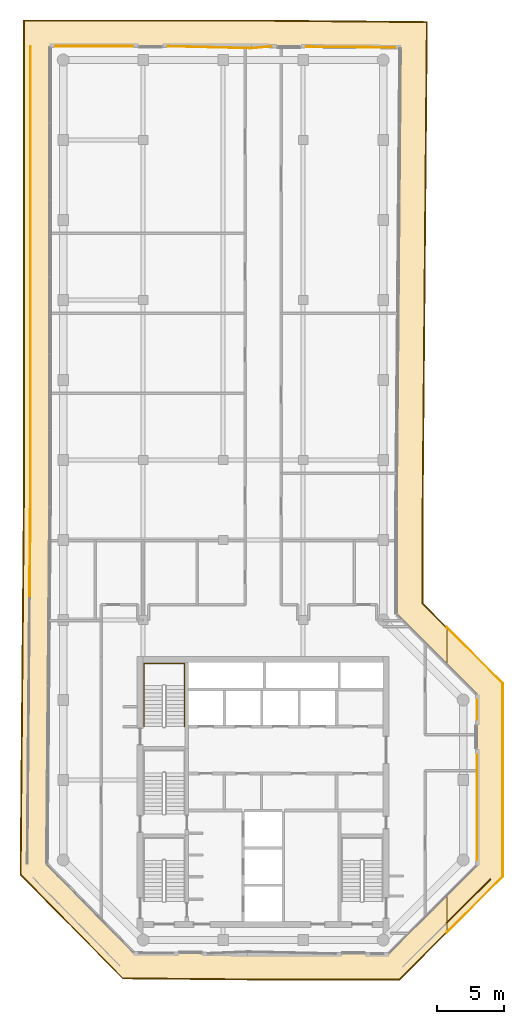
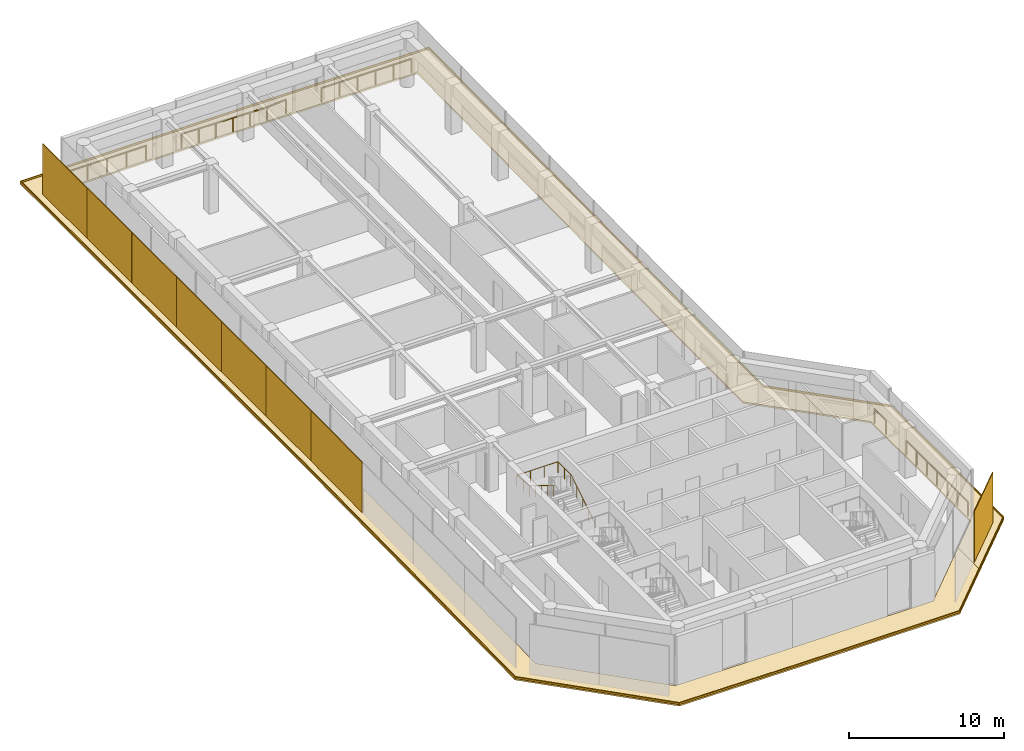
# One storey, part 19 of 19: 12 coverings, 6 railings.
"""IFC4 building model written with IfcOpenShell, lengths in metres."""

from ifc_helpers import new_model, si_unit, direction, frame, origin, origin_2d, place, context, subcontext, project, spatial, polyline, rectangle, circle, outline, extrude, material, layer, layer_set, type_object, element, save


model = new_model("IFC4")

# Units and contexts
model_context = context("Model", 3, precision=1e-05, world=origin(), true_north=direction((0.0, 1.0)))
body_context = subcontext(model_context, "Body", "Model", "MODEL_VIEW")
ifc_project = project(units=[si_unit("LENGTHUNIT", "METRE"), si_unit("AREAUNIT", "SQUARE_METRE"), si_unit("VOLUMEUNIT", "CUBIC_METRE"), si_unit("PLANEANGLEUNIT", "RADIAN"), si_unit("MASSUNIT", "GRAM", prefix="KILO")], contexts=[model_context])

# Site, building, storey
site_placement = place(None, origin())
site = spatial("IfcSite", under=ifc_project, at=site_placement, CompositionType="ELEMENT")
building_placement = place(site_placement, origin())
building = spatial("IfcBuilding", under=site, at=building_placement, Name="Welwitschia Terrace Campus", CompositionType="ELEMENT")
storey_placement = place(building_placement, frame((0.0, 0.0, 230.60009765625)))
storey = spatial("IfcBuildingStorey", under=building, at=storey_placement, Name="L51", CompositionType="ELEMENT", Elevation=230.60009765625)

# Coverings
ifc_material_1 = material(Name="Bronze mesh aluminium screen", Category="aluminium")
ifc_layer_1 = layer(ifc_material_1, 0.06005859375)
ifc_layer_set_1 = layer_set([ifc_layer_1], Name="Bronze mesh aluminium screen")
covering_type_1 = type_object("IfcCoveringType", Name="Bronze screen 60", PredefinedType="USERDEFINED", material=ifc_layer_set_1)
for number, where, z_axis, x_axis, name in (
    (1, (-2.4599609375, 68.148681640625, 0.0), (0.0, 0.0, 1.0), (0.0, -1.0, 0.0), "Screen L51.1.0"),
    (2, (-2.4599609375, 62.385986328125, 0.0), (0.0, 0.0, 1.0), (0.0, -1.0, 0.0), "Screen L51.1.1"),
    (3, (-2.4599609375, 56.623291015625, 0.0), (0.0, 0.0, 1.0), (0.0, -1.0, 0.0), "Screen L51.1.2"),
    (4, (-2.4599609375, 50.8603515625, 0.0), (0.0, 0.0, 1.0), (0.0, -1.0, 0.0), "Screen L51.1.3"),
    (5, (-2.4599609375, 45.09765625, 0.0), (0.0, 0.0, 1.0), (0.0, -1.0, 0.0), "Screen L51.1.4"),
    (6, (-2.4599609375, 39.3349609375, 0.0), (0.0, 0.0, 1.0), (0.0, -1.0, 0.0), "Screen L51.1.5"),
):
    element("IfcCovering", number, at=place(storey_placement, frame(where, z_axis=z_axis, x_axis=x_axis)), inside=storey, type_object=covering_type_1, Name=name, ObjectType="SCREEN", PredefinedType="USERDEFINED", context=body_context, shape_type="SweptSolid", body=[
        extrude(rectangle(XDim=5.74267578125, YDim=0.06005859375, at=origin_2d()), origin(), (0.0, 0.0, 1.0), 3.949951171875),
    ])
covering_1_placement = place(storey_placement, frame((-2.489013671875, 33.12255859375, 0.0), z_axis=(0.0, 0.0, 1.0), x_axis=(-0.008726535498, -0.999961923064, 0.0)))
element("IfcCovering", 7, at=covering_1_placement, inside=storey, type_object=covering_type_1, Name="Screen L51.2.0", ObjectType="SCREEN", PredefinedType="USERDEFINED", context=body_context, shape_type="SweptSolid", body=[
    extrude(rectangle(XDim=6.667236328125, YDim=0.06005859375, at=origin_2d()), origin(), (0.0, 0.0, 1.0), 3.949951171875),
])
covering_2_placement = place(storey_placement, frame((30.390380859375, 6.911376953125, 0.0), z_axis=(0.0, 0.0, 1.0), x_axis=(0.707106781187, 0.707106781187, 0.0)))
element("IfcCovering", 8, at=covering_2_placement, inside=storey, type_object=covering_type_1, Name="Screen L51.6.1", ObjectType="SCREEN", PredefinedType="USERDEFINED", context=body_context, shape_type="SweptSolid", body=[
    extrude(rectangle(XDim=4.6494140625, YDim=0.06005859375, at=origin_2d()), origin(), (0.0, 0.0, 1.0), 3.949951171875),
])

# Railings
ifc_material_2 = material(Name="Stainless steel grade 316", Category="steel")
railing_type_1 = type_object("IfcRailingType", Name="Guard 1100", PredefinedType="GUARDRAIL", material=ifc_material_2)
railing_1_placement = place(storey_placement, frame((-0.580078125, 71.030029296875, 0.0)))
element("IfcRailing", 9, at=railing_1_placement, inside=storey, type_object=railing_type_1, Name="Guard floor edge L51.0", PredefinedType="GUARDRAIL", context=body_context, shape_type="SweptSolid", body=[
    extrude(circle(Radius=0.02392578125, at=origin_2d()), frame((0.0, 0.0, 1.076171875), z_axis=(1.0, 0.0, 0.0), x_axis=(0.0, 1.0, 0.0)), (0.0, 0.0, 1.0), 5.803466796875),
    extrude(circle(Radius=0.02099609375, at=origin_2d()), origin(), (0.0, 0.0, 1.0), 1.052001953125),
    extrude(circle(Radius=0.02099609375, at=origin_2d()), frame((1.450927734375, 0.0, 0.0)), (0.0, 0.0, 1.0), 1.052001953125),
    extrude(circle(Radius=0.02099609375, at=origin_2d()), frame((2.90185546875, 0.0, 0.0)), (0.0, 0.0, 1.0), 1.052001953125),
    extrude(circle(Radius=0.02099609375, at=origin_2d()), frame((4.3525390625, 0.0, 0.0)), (0.0, 0.0, 1.0), 1.052001953125),
    extrude(circle(Radius=0.02099609375, at=origin_2d()), frame((5.803466796875, 0.0, 0.0)), (0.0, 0.0, 1.0), 1.052001953125),
])
railing_2_placement = place(storey_placement, frame((7.870849609375, 71.030029296875, 0.0)))
element("IfcRailing", 10, at=railing_2_placement, inside=storey, type_object=railing_type_1, Name="Guard floor edge L51.2", PredefinedType="GUARDRAIL", context=body_context, shape_type="SweptSolid", body=[
    extrude(circle(Radius=0.02392578125, at=origin_2d()), frame((0.0, 0.0, 1.076171875), z_axis=(0.999711809678, -0.024006199014, 0.0), x_axis=(0.024006199014, 0.999711809678, 0.0)), (0.0, 0.0, 1.0), 6.25439453125),
    extrude(circle(Radius=0.02392578125, at=origin_2d()), frame((6.252685546875, -0.150146484375, 1.076171875), z_axis=(0.995723048446, 0.092388369362, 0.0), x_axis=(-0.092388369362, 0.995723048446, 0.0)), (0.0, 0.0, 1.0), 1.485107421875),
    extrude(circle(Radius=0.02099609375, at=origin_2d()), origin(), (0.0, 0.0, 1.0), 1.052001953125),
    extrude(circle(Radius=0.02099609375, at=origin_2d()), frame((1.25048828125, -0.030029296875, 0.0)), (0.0, 0.0, 1.0), 1.052001953125),
    extrude(circle(Radius=0.02099609375, at=origin_2d()), frame((2.5009765625, -0.06005859375, 0.0)), (0.0, 0.0, 1.0), 1.052001953125),
    extrude(circle(Radius=0.02099609375, at=origin_2d()), frame((3.751708984375, -0.090087890625, 0.0)), (0.0, 0.0, 1.0), 1.052001953125),
    extrude(circle(Radius=0.02099609375, at=origin_2d()), frame((5.002197265625, -0.1201171875, 0.0)), (0.0, 0.0, 1.0), 1.052001953125),
    extrude(circle(Radius=0.02099609375, at=origin_2d()), frame((6.252685546875, -0.150146484375, 0.0)), (0.0, 0.0, 1.0), 1.052001953125),
    extrude(circle(Radius=0.02099609375, at=origin_2d()), frame((7.7314453125, -0.012939453125, 0.0)), (0.0, 0.0, 1.0), 1.052001953125),
])
railing_3_placement = place(storey_placement, frame((18.249755859375, 70.993896484375, 0.0)))
element("IfcRailing", 11, at=railing_3_placement, inside=storey, type_object=railing_type_1, Name="Guard floor edge L51.4", PredefinedType="GUARDRAIL", context=body_context, shape_type="SweptSolid", body=[
    extrude(circle(Radius=0.02392578125, at=origin_2d()), frame((0.0, 0.0, 1.076171875), z_axis=(0.999961944057, -0.008724129606, 0.0), x_axis=(0.008724129606, 0.999961944057, 0.0)), (0.0, 0.0, 1.0), 6.63232421875),
    extrude(circle(Radius=0.02099609375, at=origin_2d()), origin(), (0.0, 0.0, 1.0), 1.052001953125),
    extrude(circle(Radius=0.02099609375, at=origin_2d()), frame((1.326416015625, -0.011474609375, 0.0)), (0.0, 0.0, 1.0), 1.052001953125),
    extrude(circle(Radius=0.02099609375, at=origin_2d()), frame((2.65283203125, -0.023193359375, 0.0)), (0.0, 0.0, 1.0), 1.052001953125),
    extrude(circle(Radius=0.02099609375, at=origin_2d()), frame((3.979248046875, -0.03466796875, 0.0)), (0.0, 0.0, 1.0), 1.052001953125),
    extrude(circle(Radius=0.02099609375, at=origin_2d()), frame((5.3056640625, -0.04638671875, 0.0)), (0.0, 0.0, 1.0), 1.052001953125),
    extrude(circle(Radius=0.02099609375, at=origin_2d()), frame((6.632080078125, -0.057861328125, 0.0)), (0.0, 0.0, 1.0), 1.052001953125),
])
railing_4_placement = place(storey_placement, frame((31.030029296875, 17.8896484375, 0.0)))
element("IfcRailing", 12, at=railing_4_placement, inside=storey, type_object=railing_type_1, Name="Guard floor edge L51.6", PredefinedType="GUARDRAIL", context=body_context, shape_type="SweptSolid", body=[
    extrude(circle(Radius=0.02392578125, at=origin_2d()), frame((0.0, 0.0, 1.076171875), z_axis=(0.0, -1.0, 0.0), x_axis=(1.0, 0.0, 0.0)), (0.0, 0.0, 1.0), 7.892578125),
    extrude(circle(Radius=0.02099609375, at=origin_2d()), origin(), (0.0, 0.0, 1.0), 1.052001953125),
    extrude(circle(Radius=0.02099609375, at=origin_2d()), frame((0.0, -1.3154296875, 0.0)), (0.0, 0.0, 1.0), 1.052001953125),
    extrude(circle(Radius=0.02099609375, at=origin_2d()), frame((0.0, -2.630859375, 0.0)), (0.0, 0.0, 1.0), 1.052001953125),
    extrude(circle(Radius=0.02099609375, at=origin_2d()), frame((0.0, -3.9462890625, 0.0)), (0.0, 0.0, 1.0), 1.052001953125),
    extrude(circle(Radius=0.02099609375, at=origin_2d()), frame((0.0, -5.26171875, 0.0)), (0.0, 0.0, 1.0), 1.052001953125),
    extrude(circle(Radius=0.02099609375, at=origin_2d()), frame((0.0, -6.5771484375, 0.0)), (0.0, 0.0, 1.0), 1.052001953125),
    extrude(circle(Radius=0.02099609375, at=origin_2d()), frame((0.0, -7.892578125, 0.0)), (0.0, 0.0, 1.0), 1.052001953125),
])
railing_5_placement = place(storey_placement, frame((31.030029296875, 22.0029296875, 0.0)))
element("IfcRailing", 13, at=railing_5_placement, inside=storey, type_object=railing_type_1, Name="Guard floor edge L51.7", PredefinedType="GUARDRAIL", context=body_context, shape_type="SweptSolid", body=[
    extrude(circle(Radius=0.02392578125, at=origin_2d()), frame((0.0, 0.0, 1.076171875), z_axis=(0.0, -1.0, 0.0), x_axis=(1.0, 0.0, 0.0)), (0.0, 0.0, 1.0), 1.4658203125),
    extrude(circle(Radius=0.02099609375, at=origin_2d()), origin(), (0.0, 0.0, 1.0), 1.052001953125),
    extrude(circle(Radius=0.02099609375, at=origin_2d()), frame((0.0, -1.4658203125, 0.0)), (0.0, 0.0, 1.0), 1.052001953125),
])
ifc_material_3 = material(Name="Steel S355", Category="steel")
railing_type_2 = type_object("IfcRailingType", Name="Stair handrail 900", PredefinedType="HANDRAIL", material=ifc_material_3)
railing_6_placement = place(storey_placement, frame((9.10009765625, 20.0, 0.1748046875)))
element("IfcRailing", 14, at=railing_6_placement, inside=storey, type_object=railing_type_2, Name="L51 S4 stair handrail", PredefinedType="HANDRAIL", context=body_context, shape_type="SweptSolid", body=[
    extrude(circle(Radius=0.02392578125, at=origin_2d()), frame((0.0, 0.0, 0.8759765625), z_axis=(0.0, 0.847998304005, 0.529998940003), x_axis=(-1.0, 0.0, 0.0)), (0.0, 0.0, 1.0), 3.632080078125),
    extrude(circle(Radius=0.02392578125, at=origin_2d()), frame((0.0, 3.080078125, 2.80078125), z_axis=(0.0, 1.0, 0.0), x_axis=(-1.0, 0.0, 0.0)), (0.0, 0.0, 1.0), 1.669921875),
    extrude(circle(Radius=0.02392578125, at=origin_2d()), frame((0.0, 4.75, 2.80078125), z_axis=(-1.0, 0.0, 0.0), x_axis=(0.0, -1.0, 0.0)), (0.0, 0.0, 1.0), 3.050048828125),
    extrude(circle(Radius=0.02392578125, at=origin_2d()), frame((-3.050048828125, 4.75, 2.80078125), z_axis=(0.0, -0.99455077262, 0.104253348533), x_axis=(1.0, 0.0, 0.0)), (0.0, 0.0, 1.0), 1.678955078125),
    extrude(circle(Radius=0.02392578125, at=origin_2d()), frame((-3.050048828125, 3.080078125, 2.97607421875), z_axis=(0.0, -0.847998304005, 0.529998940003), x_axis=(1.0, 0.0, 0.0)), (0.0, 0.0, 1.0), 3.632080078125),
    extrude(circle(Radius=0.02099609375, at=origin_2d()), origin(), (0.0, 0.0, 1.0), 0.851806640625),
    extrude(circle(Radius=0.02099609375, at=origin_2d()), frame((0.0, 0.77001953125, 0.481201171875)), (0.0, 0.0, 1.0), 0.851806640625),
    extrude(circle(Radius=0.02099609375, at=origin_2d()), frame((0.0, 1.5400390625, 0.96240234375)), (0.0, 0.0, 1.0), 0.851806640625),
    extrude(circle(Radius=0.02099609375, at=origin_2d()), frame((0.0, 2.31005859375, 1.44384765625)), (0.0, 0.0, 1.0), 0.851806640625),
    extrude(circle(Radius=0.02099609375, at=origin_2d()), frame((0.0, 3.080078125, 1.925048828125)), (0.0, 0.0, 1.0), 0.851806640625),
    extrude(circle(Radius=0.02099609375, at=origin_2d()), frame((0.0, 3.9150390625, 1.925048828125)), (0.0, 0.0, 1.0), 0.851806640625),
    extrude(circle(Radius=0.02099609375, at=origin_2d()), frame((0.0, 4.75, 1.925048828125)), (0.0, 0.0, 1.0), 0.851806640625),
    extrude(circle(Radius=0.02099609375, at=origin_2d()), frame((-1.0166015625, 4.75, 1.925048828125)), (0.0, 0.0, 1.0), 0.851806640625),
    extrude(circle(Radius=0.02099609375, at=origin_2d()), frame((-2.033447265625, 4.75, 1.925048828125)), (0.0, 0.0, 1.0), 0.851806640625),
    extrude(circle(Radius=0.02099609375, at=origin_2d()), frame((-3.050048828125, 4.75, 1.925048828125)), (0.0, 0.0, 1.0), 0.851806640625),
    extrude(circle(Radius=0.02099609375, at=origin_2d()), frame((-3.050048828125, 3.9150390625, 2.0126953125)), (0.0, 0.0, 1.0), 0.851806640625),
    extrude(circle(Radius=0.02099609375, at=origin_2d()), frame((-3.050048828125, 3.080078125, 2.10009765625)), (0.0, 0.0, 1.0), 0.851806640625),
    extrude(circle(Radius=0.02099609375, at=origin_2d()), frame((-3.050048828125, 2.31005859375, 2.581298828125)), (0.0, 0.0, 1.0), 0.851806640625),
    extrude(circle(Radius=0.02099609375, at=origin_2d()), frame((-3.050048828125, 1.5400390625, 3.0625)), (0.0, 0.0, 1.0), 0.851806640625),
    extrude(circle(Radius=0.02099609375, at=origin_2d()), frame((-3.050048828125, 0.77001953125, 3.5439453125)), (0.0, 0.0, 1.0), 0.851806640625),
    extrude(circle(Radius=0.02099609375, at=origin_2d()), frame((-3.050048828125, 0.0, 4.025146484375)), (0.0, 0.0, 1.0), 0.851806640625),
])

# Coverings
ifc_material_4 = material(Name="Bronze anodised aluminium", Category="aluminium")
ifc_layer_2 = layer(ifc_material_4, 0.1201171875)
ifc_layer_set_2 = layer_set([ifc_layer_2], Name="Bronze anodised aluminium")
covering_type_2 = type_object("IfcCoveringType", Name="Sunshade band 2000", PredefinedType="USERDEFINED", material=ifc_layer_set_2)
covering_3_placement = place(storey_placement, frame((0.0, 0.0, -0.25)))
element("IfcCovering", 15, at=covering_3_placement, inside=storey, type_object=covering_type_2, Name="SUNSHADE L51.SW0", ObjectType="SUNSHADE", PredefinedType="USERDEFINED", context=body_context, shape_type="SweptSolid", body=[
    extrude(outline(polyline([(27.0, 36.331298828125), (27.0, 29.24267578125), (28.7666015625, 27.47607421875), (28.7666015625, 24.6474609375), (25.0, 28.414306640625), (25.0, 36.340087890625), (25.301513671875, 70.902587890625), (14.1240234375, 71.0), (-1.0, 71.0), (-1.0, 36.453369140625), (-1.2333984375, 9.717529296875), (5.294677734375, 3.074462890625), (13.827392578125, 3.0), (24.414306640625, 3.0), (28.7666015625, 7.3525390625), (28.7666015625, 4.52392578125), (25.24267578125, 1.0), (13.818603515625, 1.0), (4.448974609375, 1.081787109375), (-3.240478515625, 8.906494140625), (-3.0, 36.462158203125), (-3.0, 73.0), (14.1328125, 73.0), (27.319091796875, 72.885009765625), (27.0, 36.331298828125)])), origin(), (0.0, 0.0, 1.0), 0.119873046875),
])
covering_4_placement = place(storey_placement, frame((0.0, 0.0, -0.25)))
element("IfcCovering", 16, at=covering_4_placement, inside=storey, type_object=covering_type_2, Name="SUNSHADE L51.SE0", ObjectType="SUNSHADE", PredefinedType="USERDEFINED", context=body_context, shape_type="SweptSolid", body=[
    extrude(outline(polyline([(33.0, 23.24267578125), (33.0, 8.75732421875), (28.7666015625, 4.52392578125), (28.7666015625, 7.3525390625), (31.0, 9.585693359375), (31.0, 22.414306640625), (28.7666015625, 24.6474609375), (28.7666015625, 27.47607421875), (33.0, 23.24267578125)])), origin(), (0.0, 0.0, 1.0), 0.119873046875),
])
ifc_material_5 = material(Name="Bronze anodised aluminium", Category="aluminium")
ifc_layer_3 = layer(ifc_material_5, 0.06005859375)
ifc_layer_set_3 = layer_set([ifc_layer_3], Name="Bronze anodised aluminium")
covering_type_3 = type_object("IfcCoveringType", Name="Sunshade lip 60", PredefinedType="USERDEFINED", material=ifc_layer_set_3)
covering_5_placement = place(storey_placement, frame((0.0, 0.0, -0.130126953125)))
element("IfcCovering", 17, at=covering_5_placement, inside=storey, type_object=covering_type_3, Name="SUNSHADE LIP L51.SW0.0", ObjectType="SUNSHADE", PredefinedType="USERDEFINED", context=body_context, shape_type="SweptSolid", body=[
    extrude(outline(polyline([(27.0, 29.24267578125), (28.7666015625, 27.47607421875), (28.7666015625, 27.39111328125), (26.93994140625, 29.2177734375), (26.93994140625, 36.33154296875), (27.258544921875, 72.825439453125), (14.132568359375, 72.93994140625), (-2.93994140625, 72.93994140625), (-2.93994140625, 36.4619140625), (-3.180419921875, 8.930908203125), (4.474365234375, 1.1416015625), (13.81884765625, 1.06005859375), (25.2177734375, 1.06005859375), (28.7666015625, 4.60888671875), (28.7666015625, 4.52392578125), (25.24267578125, 1.0), (13.818603515625, 1.0), (4.448974609375, 1.081787109375), (-3.240478515625, 8.906494140625), (-3.0, 36.462158203125), (-3.0, 73.0), (14.1328125, 73.0), (27.319091796875, 72.885009765625), (27.0, 36.331298828125), (27.0, 29.24267578125)])), origin(), (0.0, 0.0, 1.0), 0.130126953125),
])
covering_6_placement = place(storey_placement, frame((0.0, 0.0, -0.130126953125)))
element("IfcCovering", 18, at=covering_6_placement, inside=storey, type_object=covering_type_3, Name="SUNSHADE LIP L51.SE0.0", ObjectType="SUNSHADE", PredefinedType="USERDEFINED", context=body_context, shape_type="SweptSolid", body=[
    extrude(outline(polyline([(33.0, 8.75732421875), (28.7666015625, 4.52392578125), (28.7666015625, 4.60888671875), (32.93994140625, 8.7822265625), (32.93994140625, 23.2177734375), (28.7666015625, 27.39111328125), (28.7666015625, 27.47607421875), (33.0, 23.24267578125), (33.0, 8.75732421875)])), origin(), (0.0, 0.0, 1.0), 0.130126953125),
])

save(model, "model.ifc")
